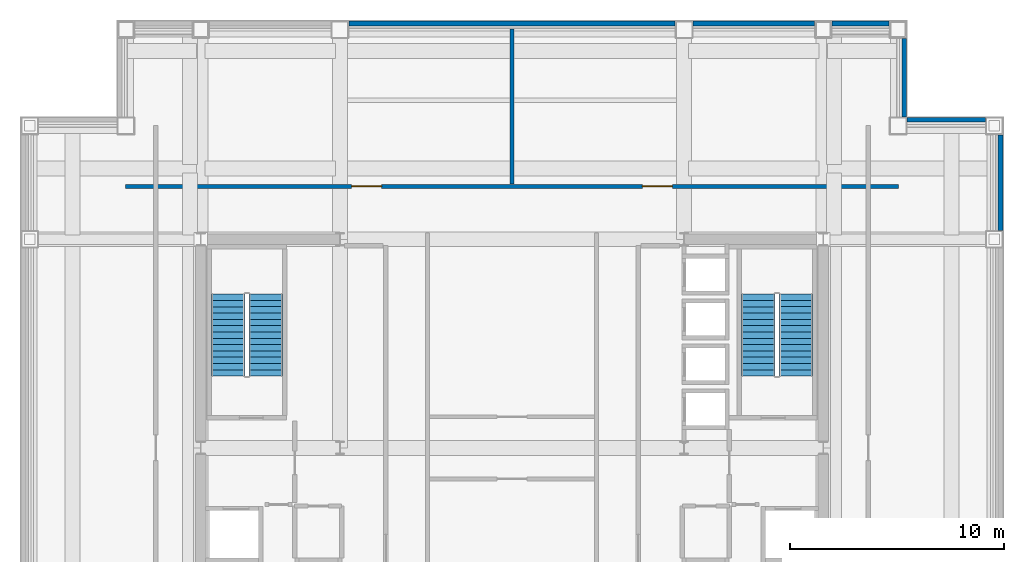
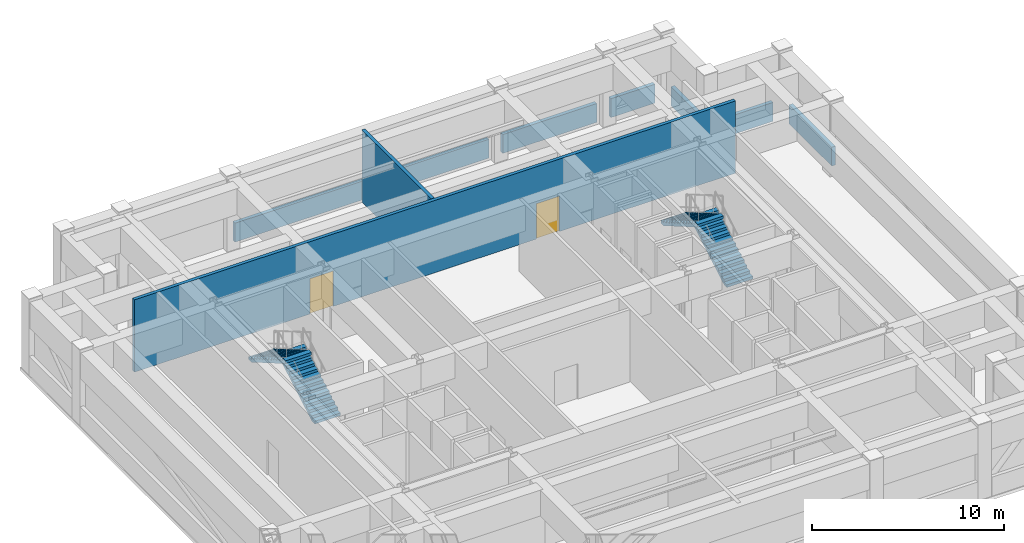
# One storey, part 6 of 9: 8 walls, 4 stair flights, 2 doors, 2 openings, 2 elements without a shape of their own.
"""IFC4 building model written with IfcOpenShell, lengths in metres."""

from ifc_helpers import new_model, si_unit, direction, frame, frame_2d, origin, place, context, subcontext, project, spatial, polyline, rectangle, outline, extrude, material, layer, layer_set, type_object, element, fill, aggregate, save


model = new_model("IFC4")

# Units and contexts
model_context = context("Model", 3, precision=1e-05, world=origin(), true_north=direction((0.0, 1.0)))
body_context = subcontext(model_context, "Body", "Model", "MODEL_VIEW")
ifc_project = project(units=[si_unit("LENGTHUNIT", "METRE"), si_unit("AREAUNIT", "SQUARE_METRE"), si_unit("VOLUMEUNIT", "CUBIC_METRE"), si_unit("PLANEANGLEUNIT", "RADIAN"), si_unit("MASSUNIT", "GRAM", prefix="KILO")], contexts=[model_context])

# Site, building, storey
site_placement = place(None, origin())
site = spatial("IfcSite", under=ifc_project, at=site_placement, CompositionType="ELEMENT")
building_placement = place(site_placement, origin())
building = spatial("IfcBuilding", under=site, at=building_placement, Name="Brelmoor Portico Tower", CompositionType="ELEMENT")
storey_placement = place(building_placement, frame((0.0, 0.0, 145.800048828125)))
storey = spatial("IfcBuildingStorey", under=building, at=storey_placement, Name="L38", CompositionType="ELEMENT", Elevation=145.800048828125)

# Walls
ifc_material_1 = material(Name="Concrete C40 Parapet Upstand", Category="concrete")
ifc_layer_1 = layer(ifc_material_1, 0.219970703125)
ifc_layer_set_1 = layer_set([ifc_layer_1], Name="Concrete C40 Parapet Upstand")
wall_type_1 = type_object("IfcWallType", Name="WL-PARAPET-220", PredefinedType="PARAPET", material=ifc_layer_set_1)
wall_1_placement = place(storey_placement, frame((22.840087890625, 10.169921875, 0.0), z_axis=(0.0, 0.0, 1.0), x_axis=(0.0, 1.0, 0.0)))
element("IfcWall", 1, at=wall_1_placement, inside=storey, type_object=wall_type_1, Name="L38 Plant Louvre Perimeter Upstand 10", PredefinedType="PARAPET", context=body_context, shape_type="SweptSolid", body=[
    extrude(rectangle(XDim=4.4599609375, YDim=0.219970703125, at=frame_2d((2.22998046875, 0.0))), origin(), (0.0, 0.0, 1.0), 1.199951171875),
])
wall_2_placement = place(storey_placement, frame((22.1298828125, 15.340087890625, 0.0), z_axis=(0.0, 0.0, 1.0), x_axis=(-1.0, 0.0, 0.0)))
element("IfcWall", 2, at=wall_2_placement, inside=storey, type_object=wall_type_1, Name="L38 Plant Louvre Perimeter Upstand 11", PredefinedType="PARAPET", context=body_context, shape_type="SweptSolid", body=[
    extrude(rectangle(XDim=3.669921875, YDim=0.219970703125, at=frame_2d((1.8349609375, 0.0))), origin(), (0.0, 0.0, 1.0), 1.199951171875),
])
wall_3_placement = place(storey_placement, frame((18.340087890625, 15.469970703125, 0.0), z_axis=(0.0, 0.0, 1.0), x_axis=(0.0, 1.0, 0.0)))
element("IfcWall", 3, at=wall_3_placement, inside=storey, type_object=wall_type_1, Name="L38 Plant Louvre Perimeter Upstand 12", PredefinedType="PARAPET", context=body_context, shape_type="SweptSolid", body=[
    extrude(rectangle(XDim=3.659912109375, YDim=0.219970703125, at=frame_2d((1.830078125, 0.0))), origin(), (0.0, 0.0, 1.0), 1.199951171875),
])
wall_4_placement = place(storey_placement, frame((17.6298828125, 19.840087890625, 0.0), z_axis=(0.0, 0.0, 1.0), x_axis=(-1.0, 0.0, 0.0)))
element("IfcWall", 4, at=wall_4_placement, inside=storey, type_object=wall_type_1, Name="L38 Plant Louvre Perimeter Upstand 13", PredefinedType="PARAPET", context=body_context, shape_type="SweptSolid", body=[
    extrude(rectangle(XDim=2.659912109375, YDim=0.219970703125, at=frame_2d((1.330078125, 0.0))), origin(), (0.0, 0.0, 1.0), 1.199951171875),
])
wall_5_placement = place(storey_placement, frame((14.1298828125, 19.840087890625, 0.0), z_axis=(0.0, 0.0, 1.0), x_axis=(-1.0, 0.0, 0.0)))
element("IfcWall", 5, at=wall_5_placement, inside=storey, type_object=wall_type_1, Name="L38 Plant Louvre Perimeter Upstand 14", PredefinedType="PARAPET", context=body_context, shape_type="SweptSolid", body=[
    extrude(rectangle(XDim=5.659912109375, YDim=0.219970703125, at=frame_2d((2.830078125, 0.0))), origin(), (0.0, 0.0, 1.0), 1.199951171875),
])
wall_6_placement = place(storey_placement, frame((7.6298828125, 19.840087890625, 0.0), z_axis=(0.0, 0.0, 1.0), x_axis=(-1.0, 0.0, 0.0)))
element("IfcWall", 6, at=wall_6_placement, inside=storey, type_object=wall_type_1, Name="L38 Plant Louvre Perimeter Upstand 15", PredefinedType="PARAPET", context=body_context, shape_type="SweptSolid", body=[
    extrude(rectangle(XDim=15.259765625, YDim=0.219970703125, at=frame_2d((7.6298828125, 0.0))), origin(), (0.0, 0.0, 1.0), 1.199951171875),
])

# Wall, openings, doors
ifc_material_2 = material(Name="Double-Stud Gypsum Fire Partition", Category="gypsum")
ifc_layer_2 = layer(ifc_material_2, 0.199951171875)
ifc_layer_set_2 = layer_set([ifc_layer_2], Name="Double-Stud Gypsum Fire Partition")
wall_type_2 = type_object("IfcWallType", Name="WL-PART-200", PredefinedType="PARTITIONING", material=ifc_layer_set_2)
wall_7_placement = place(storey_placement, frame((-18.070068359375, 12.219970703125, 0.0), z_axis=(0.0, 0.0, 1.0), x_axis=(1.0, 0.0, 0.0)))
wall_7 = element("IfcWall", 7, at=wall_7_placement, inside=storey, type_object=wall_type_2, Name="L38 North Plant Wall", PredefinedType="PARTITIONING", context=body_context, shape_type="SweptSolid", body=[
    extrude(rectangle(XDim=36.14013671875, YDim=0.199951171875, at=frame_2d((18.070068359375, 0.0))), origin(), (0.0, 0.0, 1.0), 4.599853515625),
])
opening_1_placement = place(wall_7_placement, frame((10.570068359375, 0.0, 0.0)))
opening_1 = element("IfcOpeningElement", 8, at=opening_1_placement, cuts=wall_7, Name="Opening D-PL1", PredefinedType="OPENING", context=body_context, shape_type="SweptSolid", body=[
    extrude(rectangle(XDim=1.39990234375, YDim=2.25, at=frame_2d((0.699951171875, 1.125))), frame((0.0, 0.10986328125, 0.0), z_axis=(0.0, -1.0, 0.0), x_axis=(1.0, 0.0, 0.0)), (0.0, 0.0, 1.0), 0.219970703125),
])
opening_2_placement = place(wall_7_placement, frame((24.169921875, 0.0, 0.0)))
opening_2 = element("IfcOpeningElement", 9, at=opening_2_placement, cuts=wall_7, Name="Opening D-PL1", PredefinedType="OPENING", context=body_context, shape_type="SweptSolid", body=[
    extrude(rectangle(XDim=1.39990234375, YDim=2.25, at=frame_2d((0.699951171875, 1.125))), frame((0.0, 0.10986328125, 0.0), z_axis=(0.0, -1.0, 0.0), x_axis=(1.0, 0.0, 0.0)), (0.0, 0.0, 1.0), 0.219970703125),
])
ifc_material_3 = material(Name="Double-Leaf Acoustic Steel Plant Door", Category="steel")
door_type = type_object("IfcDoorType", Name="DR-PLANT-1400", OperationType="NOTDEFINED", PredefinedType="DOOR", material=ifc_material_3)
door_1_placement = place(opening_1_placement, origin())
door_1 = element("IfcDoor", 10, at=door_1_placement, inside=storey, type_object=door_type, Name="D-1656 L38 Chiller Plant Door", OperationType="DOUBLE_DOOR_SINGLE_SWING", OverallHeight=2.25, OverallWidth=1.39990234375, PredefinedType="DOOR", context=body_context, shape_type="SweptSolid", body=[
    extrude(rectangle(XDim=1.39990234375, YDim=2.25, at=frame_2d((0.699951171875, 1.125))), frame((0.0, 0.02490234375, 0.0), z_axis=(0.0, -1.0, 0.0), x_axis=(1.0, 0.0, 0.0)), (0.0, 0.0, 1.0), 0.050048828125),
])
fill(opening_1, door_1)
door_2_placement = place(opening_2_placement, origin())
door_2 = element("IfcDoor", 11, at=door_2_placement, inside=storey, type_object=door_type, Name="D-1655 L38 Primary AHU Plant Door", OperationType="DOUBLE_DOOR_SINGLE_SWING", OverallHeight=2.25, OverallWidth=1.39990234375, PredefinedType="DOOR", context=body_context, shape_type="SweptSolid", body=[
    extrude(rectangle(XDim=1.39990234375, YDim=2.25, at=frame_2d((0.699951171875, 1.125))), frame((0.0, 0.02490234375, 0.0), z_axis=(0.0, -1.0, 0.0), x_axis=(1.0, 0.0, 0.0)), (0.0, 0.0, 1.0), 0.050048828125),
])
fill(opening_2, door_2)

# Wall
wall_8_placement = place(storey_placement, frame((0.0, 12.340087890625, 0.0), z_axis=(0.0, 0.0, 1.0), x_axis=(0.0, 1.0, 0.0)))
element("IfcWall", 12, at=wall_8_placement, inside=storey, type_object=wall_type_2, Name="L38 North Plant Divider", PredefinedType="PARTITIONING", context=body_context, shape_type="SweptSolid", body=[
    extrude(rectangle(XDim=7.22998046875, YDim=0.199951171875, at=frame_2d((3.614990234375, 0.0))), origin(), (0.0, 0.0, 1.0), 4.599853515625),
])

# Stair, stair flights
ifc_material_4 = material(Name="Concrete C40", Category="concrete")
stair_type_1 = type_object("IfcStairType", Name="ST-CORE-W", PredefinedType="HALF_TURN_STAIR", material=ifc_material_4)
stair_1_placement = place(storey_placement, origin())
stair_1 = element("IfcStair", 13, at=stair_1_placement, inside=storey, type_object=stair_type_1, Name="L38 Protected Core Exit Stair ST-W", PredefinedType="HALF_TURN_STAIR")
stair_flight_type = type_object("IfcStairFlightType", Name="SF-CORE-1850", PredefinedType="STRAIGHT", material=ifc_material_4)
stair_flight_1_placement = place(storey_placement, frame((-11.510009765625, 3.35009765625, 0.0), z_axis=(0.0, 0.0, 1.0), x_axis=(0.0, 1.0, 0.0)))
stair_flight_1 = element("IfcStairFlight", 14, at=stair_flight_1_placement, type_object=stair_flight_type, Name="ST-W flight 1", NumberOfRisers=14, NumberOfTreads=13, PredefinedType="STRAIGHT", RiserHeight=0.171428571, TreadLength=0.295, context=body_context, shape_type="SweptSolid", body=[
    extrude(outline(polyline([(0.0, 0.0), (0.0, 0.17138671875), (0.294921875, 0.17138671875), (0.294921875, 0.3427734375), (0.590087890625, 0.3427734375), (0.590087890625, 0.514404296875), (0.885009765625, 0.514404296875), (0.885009765625, 0.685791015625), (1.179931640625, 0.685791015625), (1.179931640625, 0.857177734375), (1.47509765625, 0.857177734375), (1.47509765625, 1.028564453125), (1.77001953125, 1.028564453125), (1.77001953125, 1.199951171875), (2.06494140625, 1.199951171875), (2.06494140625, 1.371337890625), (2.360107421875, 1.371337890625), (2.360107421875, 1.54296875), (2.655029296875, 1.54296875), (2.655029296875, 1.71435546875), (2.949951171875, 1.71435546875), (2.949951171875, 1.8857421875), (3.2451171875, 1.8857421875), (3.2451171875, 2.05712890625), (3.5400390625, 2.05712890625), (3.5400390625, 2.228515625), (3.8349609375, 2.228515625), (3.8349609375, 2.39990234375), (3.8349609375, 2.05517578125), (0.29833984375, 0.0), (0.0, 0.0)])), frame((0.0, 0.780029296875, 0.0), z_axis=(0.0, -1.0, 0.0), x_axis=(1.0, 0.0, 0.0)), (0.0, 0.0, 1.0), 1.56005859375),
])
stair_flight_2_placement = place(storey_placement, frame((-13.27001953125, 7.18505859375, 2.39990234375), z_axis=(0.0, 0.0, 1.0), x_axis=(0.0, -1.0, 0.0)))
stair_flight_2 = element("IfcStairFlight", 15, at=stair_flight_2_placement, type_object=stair_flight_type, Name="ST-W flight 2", NumberOfRisers=14, NumberOfTreads=13, PredefinedType="STRAIGHT", RiserHeight=0.171428571, TreadLength=0.295, context=body_context, shape_type="SweptSolid", body=[
    extrude(outline(polyline([(0.0, 0.0), (0.0, 0.17138671875), (0.294921875, 0.17138671875), (0.294921875, 0.3427734375), (0.590087890625, 0.3427734375), (0.590087890625, 0.514404296875), (0.885009765625, 0.514404296875), (0.885009765625, 0.685791015625), (1.179931640625, 0.685791015625), (1.179931640625, 0.857177734375), (1.47509765625, 0.857177734375), (1.47509765625, 1.028564453125), (1.77001953125, 1.028564453125), (1.77001953125, 1.199951171875), (2.06494140625, 1.199951171875), (2.06494140625, 1.371337890625), (2.360107421875, 1.371337890625), (2.360107421875, 1.54296875), (2.655029296875, 1.54296875), (2.655029296875, 1.71435546875), (2.949951171875, 1.71435546875), (2.949951171875, 1.8857421875), (3.2451171875, 1.8857421875), (3.2451171875, 2.05712890625), (3.5400390625, 2.05712890625), (3.5400390625, 2.228515625), (3.8349609375, 2.228515625), (3.8349609375, 2.39990234375), (3.8349609375, 2.05517578125), (0.29833984375, 0.0), (0.0, 0.0)])), frame((0.0, 0.780029296875, 0.0), z_axis=(0.0, -1.0, 0.0), x_axis=(1.0, 0.0, 0.0)), (0.0, 0.0, 1.0), 1.56005859375),
])
aggregate(stair_1, [stair_flight_1, stair_flight_2])

stair_type_2 = type_object("IfcStairType", Name="ST-CORE-E", PredefinedType="HALF_TURN_STAIR", material=ifc_material_4)
stair_2_placement = place(storey_placement, origin())
stair_2 = element("IfcStair", 16, at=stair_2_placement, inside=storey, type_object=stair_type_2, Name="L38 Protected Core Exit Stair ST-E", PredefinedType="HALF_TURN_STAIR")
stair_flight_3_placement = place(storey_placement, frame((13.27001953125, 3.35009765625, 0.0), z_axis=(0.0, 0.0, 1.0), x_axis=(0.0, 1.0, 0.0)))
stair_flight_3 = element("IfcStairFlight", 17, at=stair_flight_3_placement, type_object=stair_flight_type, Name="ST-E flight 1", NumberOfRisers=14, NumberOfTreads=13, PredefinedType="STRAIGHT", RiserHeight=0.171428571, TreadLength=0.295, context=body_context, shape_type="SweptSolid", body=[
    extrude(outline(polyline([(0.0, 0.0), (0.0, 0.17138671875), (0.294921875, 0.17138671875), (0.294921875, 0.3427734375), (0.590087890625, 0.3427734375), (0.590087890625, 0.514404296875), (0.885009765625, 0.514404296875), (0.885009765625, 0.685791015625), (1.179931640625, 0.685791015625), (1.179931640625, 0.857177734375), (1.47509765625, 0.857177734375), (1.47509765625, 1.028564453125), (1.77001953125, 1.028564453125), (1.77001953125, 1.199951171875), (2.06494140625, 1.199951171875), (2.06494140625, 1.371337890625), (2.360107421875, 1.371337890625), (2.360107421875, 1.54296875), (2.655029296875, 1.54296875), (2.655029296875, 1.71435546875), (2.949951171875, 1.71435546875), (2.949951171875, 1.8857421875), (3.2451171875, 1.8857421875), (3.2451171875, 2.05712890625), (3.5400390625, 2.05712890625), (3.5400390625, 2.228515625), (3.8349609375, 2.228515625), (3.8349609375, 2.39990234375), (3.8349609375, 2.05517578125), (0.29833984375, 0.0), (0.0, 0.0)])), frame((0.0, 0.780029296875, 0.0), z_axis=(0.0, -1.0, 0.0), x_axis=(1.0, 0.0, 0.0)), (0.0, 0.0, 1.0), 1.56005859375),
])
stair_flight_4_placement = place(storey_placement, frame((11.510009765625, 7.18505859375, 2.39990234375), z_axis=(0.0, 0.0, 1.0), x_axis=(0.0, -1.0, 0.0)))
stair_flight_4 = element("IfcStairFlight", 18, at=stair_flight_4_placement, type_object=stair_flight_type, Name="ST-E flight 2", NumberOfRisers=14, NumberOfTreads=13, PredefinedType="STRAIGHT", RiserHeight=0.171428571, TreadLength=0.295, context=body_context, shape_type="SweptSolid", body=[
    extrude(outline(polyline([(0.0, 0.0), (0.0, 0.17138671875), (0.294921875, 0.17138671875), (0.294921875, 0.3427734375), (0.590087890625, 0.3427734375), (0.590087890625, 0.514404296875), (0.885009765625, 0.514404296875), (0.885009765625, 0.685791015625), (1.179931640625, 0.685791015625), (1.179931640625, 0.857177734375), (1.47509765625, 0.857177734375), (1.47509765625, 1.028564453125), (1.77001953125, 1.028564453125), (1.77001953125, 1.199951171875), (2.06494140625, 1.199951171875), (2.06494140625, 1.371337890625), (2.360107421875, 1.371337890625), (2.360107421875, 1.54296875), (2.655029296875, 1.54296875), (2.655029296875, 1.71435546875), (2.949951171875, 1.71435546875), (2.949951171875, 1.8857421875), (3.2451171875, 1.8857421875), (3.2451171875, 2.05712890625), (3.5400390625, 2.05712890625), (3.5400390625, 2.228515625), (3.8349609375, 2.228515625), (3.8349609375, 2.39990234375), (3.8349609375, 2.05517578125), (0.29833984375, 0.0), (0.0, 0.0)])), frame((0.0, 0.780029296875, 0.0), z_axis=(0.0, -1.0, 0.0), x_axis=(1.0, 0.0, 0.0)), (0.0, 0.0, 1.0), 1.56005859375),
])
aggregate(stair_2, [stair_flight_3, stair_flight_4])

save(model, "model.ifc")
